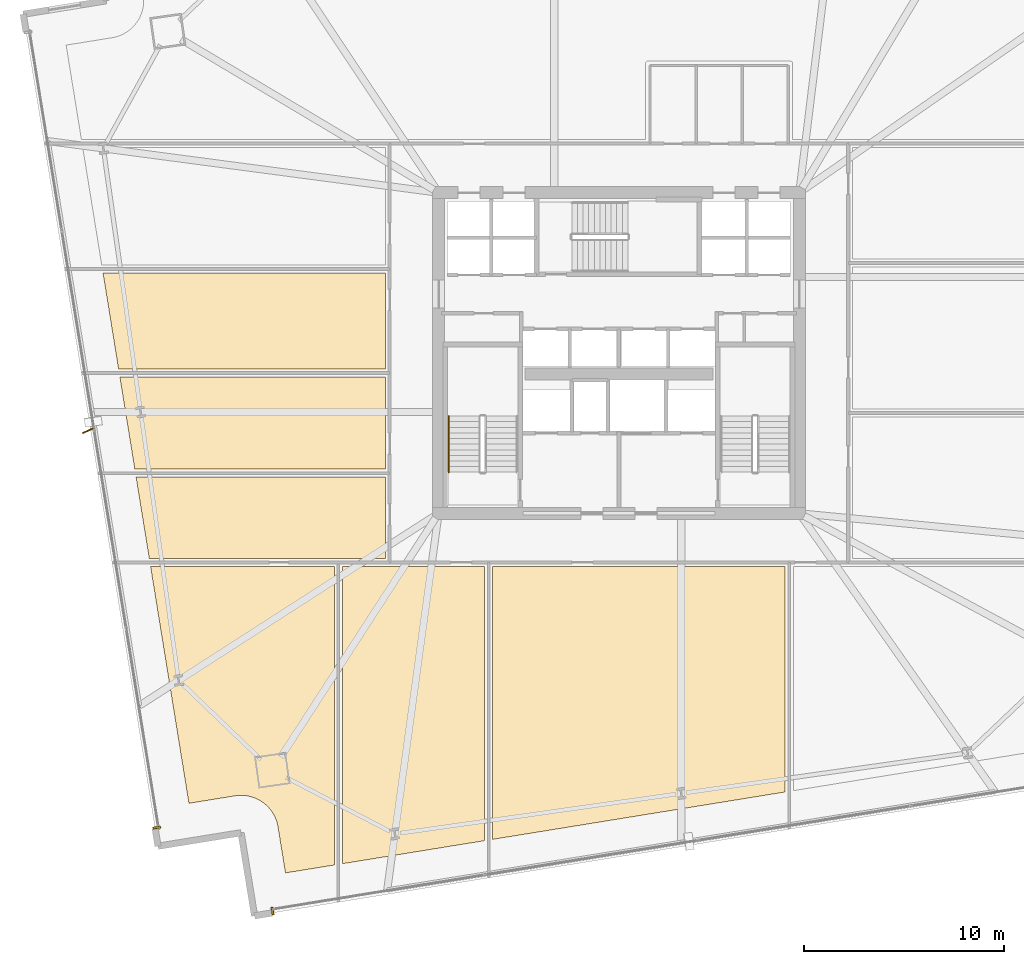
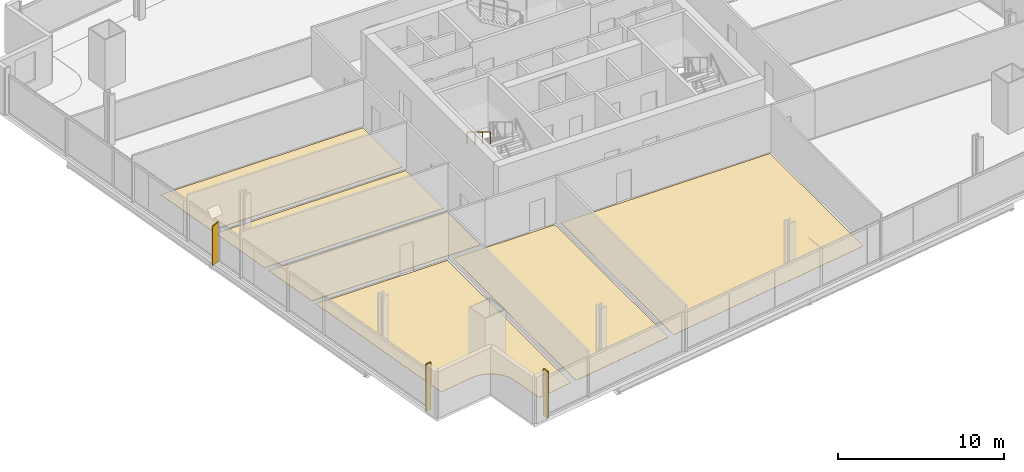
# One storey, part 29 of 33: 8 coverings, 1 railing, 1 shading device.
"""IFC4 building model written with IfcOpenShell, lengths in metres."""

from ifc_helpers import new_model, si_unit, direction, frame, origin, origin_2d, place, context, subcontext, project, spatial, polyline, rectangle, outline, extrude, source, transform, mapped, material, layer, layer_set, type_object, element, save


model = new_model("IFC4")

# Units and contexts
model_context = context("Model", 3, precision=1e-05, world=origin(), true_north=direction((0.0, 1.0)))
body_context = subcontext(model_context, "Body", "Model", "MODEL_VIEW")
ifc_project = project(units=[si_unit("LENGTHUNIT", "METRE"), si_unit("AREAUNIT", "SQUARE_METRE"), si_unit("VOLUMEUNIT", "CUBIC_METRE"), si_unit("PLANEANGLEUNIT", "RADIAN"), si_unit("MASSUNIT", "GRAM", prefix="KILO")], contexts=[model_context])

# Site, building, storey
site_placement = place(None, origin())
site = spatial("IfcSite", under=ifc_project, at=site_placement, CompositionType="ELEMENT")
building_placement = place(site_placement, origin())
building = spatial("IfcBuilding", under=site, at=building_placement, Name="Haldenkirk Collegiate Tower", CompositionType="ELEMENT")
storey_placement = place(building_placement, frame((0.0, 0.0, 58.949951171875)))
storey = spatial("IfcBuildingStorey", under=building, at=storey_placement, Name="L13", CompositionType="ELEMENT", Elevation=58.949951171875)

# Coverings
ifc_material_1 = material(Name="Polished collegiate terrazzo", Category="concrete")
ifc_layer_1 = layer(ifc_material_1, 0.02490234375)
ifc_layer_set_1 = layer_set([ifc_layer_1], Name="Polished collegiate terrazzo")
covering_type_1 = type_object("IfcCoveringType", Name="COV-FLOOR-TERRAZZO", PredefinedType="FLOORING", material=ifc_layer_set_1)
covering_1_placement = place(storey_placement, origin())
element("IfcCovering", 1, at=covering_1_placement, inside=storey, type_object=covering_type_1, Name="L13 academic room finish 02", PredefinedType="FLOORING", context=body_context, shape_type="SweptSolid", body=[
    extrude(outline(polyline([(22.199951171875, 0.5107421875), (22.199951171875, 15.35009765625), (29.300048828125, 15.35009765625), (29.300048828125, 1.66064453125), (22.199951171875, 0.5107421875)])), origin(), (0.0, 0.0, 1.0), 0.025146484375),
])
covering_2_placement = place(storey_placement, origin())
element("IfcCovering", 2, at=covering_2_placement, inside=storey, type_object=covering_type_1, Name="L13 academic room finish 06", PredefinedType="FLOORING", context=body_context, shape_type="SweptSolid", body=[
    extrude(outline(polyline([(11.9013671875, 19.800048828125), (24.35009765625, 19.800048828125), (24.35009765625, 15.75), (12.55712890625, 15.75), (11.9013671875, 19.800048828125)])), origin(), (0.0, 0.0, 1.0), 0.025146484375),
])
covering_3_placement = place(storey_placement, origin())
element("IfcCovering", 3, at=covering_3_placement, inside=storey, type_object=covering_type_1, Name="L13 academic room finish 08", PredefinedType="FLOORING", context=body_context, shape_type="SweptSolid", body=[
    extrude(outline(polyline([(10.249267578125, 30.0), (24.35009765625, 30.0), (24.35009765625, 25.199951171875), (11.026611328125, 25.199951171875), (10.249267578125, 30.0)])), origin(), (0.0, 0.0, 1.0), 0.025146484375),
])
ifc_material_2 = material(Name="Engineered collegiate oak acoustic flooring", Category="wood")
ifc_layer_2 = layer(ifc_material_2, 0.02197265625)
ifc_layer_set_2 = layer_set([ifc_layer_2], Name="Engineered collegiate oak acoustic flooring")
covering_type_2 = type_object("IfcCoveringType", Name="COV-FLOOR-TIMBER", PredefinedType="FLOORING", material=ifc_layer_set_2)
covering_4_placement = place(storey_placement, origin())
element("IfcCovering", 4, at=covering_4_placement, inside=storey, type_object=covering_type_2, Name="L13 academic room finish 01", PredefinedType="FLOORING", context=body_context, shape_type="SweptSolid", body=[
    extrude(outline(polyline([(18.730224609375, 3.028564453125), (18.72412109375, 3.03857421875), (18.626708984375, 3.18017578125), (18.61962890625, 3.189453125), (18.5087890625, 3.32080078125), (18.5009765625, 3.329345703125), (18.3779296875, 3.44921875), (18.369140625, 3.45703125), (18.23486328125, 3.564208984375), (18.225341796875, 3.571044921875), (18.081298828125, 3.66455078125), (18.071044921875, 3.67041015625), (17.91845703125, 3.74951171875), (17.90771484375, 3.75439453125), (17.748291015625, 3.81787109375), (17.7373046875, 3.82177734375), (17.572265625, 3.869384765625), (17.560791015625, 3.8720703125), (17.391845703125, 3.9033203125), (17.380126953125, 3.90478515625), (17.208984375, 3.91943359375), (17.197265625, 3.919921875), (17.025634765625, 3.91748046875), (17.013916015625, 3.9169921875), (16.84326171875, 3.897705078125), (16.83740234375, 3.89697265625), (14.537353515625, 3.5244140625), (12.6220703125, 15.35009765625), (21.800048828125, 15.35009765625), (21.800048828125, 0.44580078125), (19.354736328125, 0.0498046875), (18.982421875, 2.35009765625), (18.981201171875, 2.355712890625), (18.9453125, 2.523681640625), (18.9423828125, 2.53515625), (18.890380859375, 2.69873046875), (18.88623046875, 2.709716796875), (18.818603515625, 2.86767578125), (18.813232421875, 2.878173828125), (18.730224609375, 3.028564453125)])), origin(), (0.0, 0.0, 1.0), 0.02197265625),
])
covering_5_placement = place(storey_placement, origin())
element("IfcCovering", 5, at=covering_5_placement, inside=storey, type_object=covering_type_2, Name="L13 academic room finish 03", PredefinedType="FLOORING", context=body_context, shape_type="SweptSolid", body=[
    extrude(outline(polyline([(29.699951171875, 1.7255859375), (29.699951171875, 15.35009765625), (44.300048828125, 15.35009765625), (44.300048828125, 4.090087890625), (29.699951171875, 1.7255859375)])), origin(), (0.0, 0.0, 1.0), 0.02197265625),
])
covering_6_placement = place(storey_placement, origin())
element("IfcCovering", 6, at=covering_6_placement, inside=storey, type_object=covering_type_2, Name="L13 academic room finish 07", PredefinedType="FLOORING", context=body_context, shape_type="SweptSolid", body=[
    extrude(outline(polyline([(11.091552734375, 24.800048828125), (24.35009765625, 24.800048828125), (24.35009765625, 20.199951171875), (11.83642578125, 20.199951171875), (11.091552734375, 24.800048828125)])), origin(), (0.0, 0.0, 1.0), 0.02197265625),
])

# Railing
ifc_material_3 = material(Name="Painted architectural tubular steel", Category="steel")
railing_type = type_object("IfcRailingType", Name="RLG-STAIR-HANDRAIL-900", PredefinedType="HANDRAIL", material=ifc_material_3)
railing_placement = place(storey_placement, frame((27.5, 22.85009765625, 2.04541015625)))
element("IfcRailing", 7, at=railing_placement, inside=storey, type_object=railing_type, Name="L13 ST-1 stair handrail 2", PredefinedType="HANDRAIL", context=body_context, shape_type="SweptSolid", body=[
    extrude(rectangle(XDim=0.048095703125, YDim=0.048095703125, at=origin_2d()), frame((0.0, 0.0, 0.8759765625), z_axis=(0.0, -0.854169791009, 0.51999420009), x_axis=(1.0, 0.0, 0.0)), (0.0, 0.0, 1.0), 3.278076171875),
    extrude(rectangle(XDim=0.0419921875, YDim=0.0419921875, at=origin_2d()), origin(), (0.0, 0.0, 1.0), 0.851806640625),
    extrude(rectangle(XDim=0.0419921875, YDim=0.0419921875, at=origin_2d()), frame((0.0, -0.933349609375, 0.568115234375)), (0.0, 0.0, 1.0), 0.851806640625),
    extrude(rectangle(XDim=0.0419921875, YDim=0.0419921875, at=origin_2d()), frame((0.0, -1.86669921875, 1.136474609375)), (0.0, 0.0, 1.0), 0.851806640625),
    extrude(rectangle(XDim=0.0419921875, YDim=0.0419921875, at=origin_2d()), frame((0.0, -2.800048828125, 1.70458984375)), (0.0, 0.0, 1.0), 0.851806640625),
])

# Coverings
ifc_material_4 = material(Name="Anodised architectural bronze aluminium", Category="aluminium")
ifc_layer_3 = layer(ifc_material_4, 0.06005859375)
ifc_layer_set_3 = layer_set([ifc_layer_3], Name="Anodised architectural bronze aluminium")
covering_type_3 = type_object("IfcCoveringType", Name="COV-CLAD-BRONZE-60", PredefinedType="CLADDING", material=ifc_layer_set_3)
shared_shape_1 = source(origin(), body_context, "Body", "SweptSolid", [
    extrude(rectangle(XDim=0.10009765625, YDim=0.3798828125, at=origin_2d()), origin(), (0.0, 0.0, 1.0), 3.43994140625),
])
for number, where, z_axis, x_axis, name in (
    (8, (18.71142578125, -1.857421875, 0.0), (0.0, 0.0, 1.0), (-0.987136265073, -0.159881187692, 0.0), "L13 recessed curtain-wall bronze jamb closure SJR"),
    (9, (12.930419921875, 2.31201171875, 0.0), (0.0, 0.0, 1.0), (-0.159881187692, 0.987136265073, 0.0), "L13 recessed curtain-wall bronze jamb closure WJL"),
):
    element("IfcCovering", number, at=place(storey_placement, frame(where, z_axis=z_axis, x_axis=x_axis)), inside=storey, type_object=covering_type_3, Name=name, PredefinedType="CLADDING", context=body_context, shape_type="MappedRepresentation", body=[
        mapped(shared_shape_1, transform((0.0, 0.0, 0.0), x_axis=(1.0, 0.0, 0.0), y_axis=(0.0, 1.0, 0.0), z_axis=(0.0, 0.0, 1.0), scale=1.0)),
    ])

# Shading device
ifc_layer_4 = layer(ifc_material_4, 0.06494140625)
ifc_layer_set_4 = layer_set([ifc_layer_4], Name="Anodised architectural bronze aluminium")
shading_device_type = type_object("IfcShadingDeviceType", Name="SHD-FIN-BRONZE-620", PredefinedType="USERDEFINED", material=ifc_layer_set_4)
shared_shape_2 = source(origin(), body_context, "Body", "SweptSolid", [
    extrude(rectangle(XDim=0.6201171875, YDim=0.06494140625, at=origin_2d()), origin(), (0.0, 0.0, 1.0), 2.89111328125),
])
shading_device_placement = place(storey_placement, frame((9.513427734375, 22.1279296875, 0.0), z_axis=(0.0, 0.0, 1.0), x_axis=(-0.904827052466, -0.425779291565, 0.0)))
element("IfcShadingDevice", 10, at=shading_device_placement, inside=storey, type_object=shading_device_type, Name="L13 folded bronze solar fin 1", ObjectType="FIN", PredefinedType="USERDEFINED", context=body_context, shape_type="MappedRepresentation", body=[
    mapped(shared_shape_2, transform((0.0, 0.0, 0.0), x_axis=(1.0, 0.0, 0.0), y_axis=(0.0, 1.0, 0.0), z_axis=(0.0, 0.0, 1.0), scale=1.0)),
])

save(model, "model.ifc")
